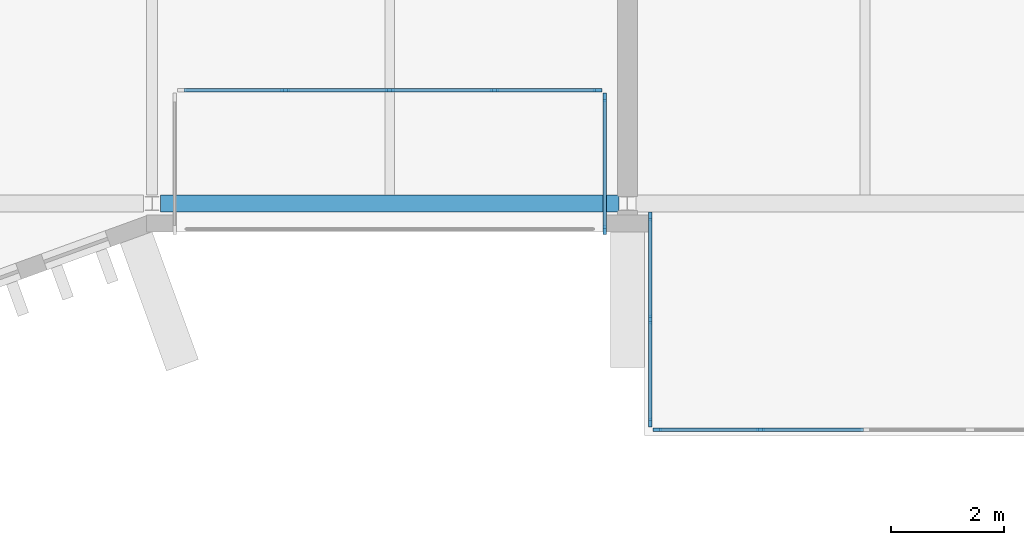
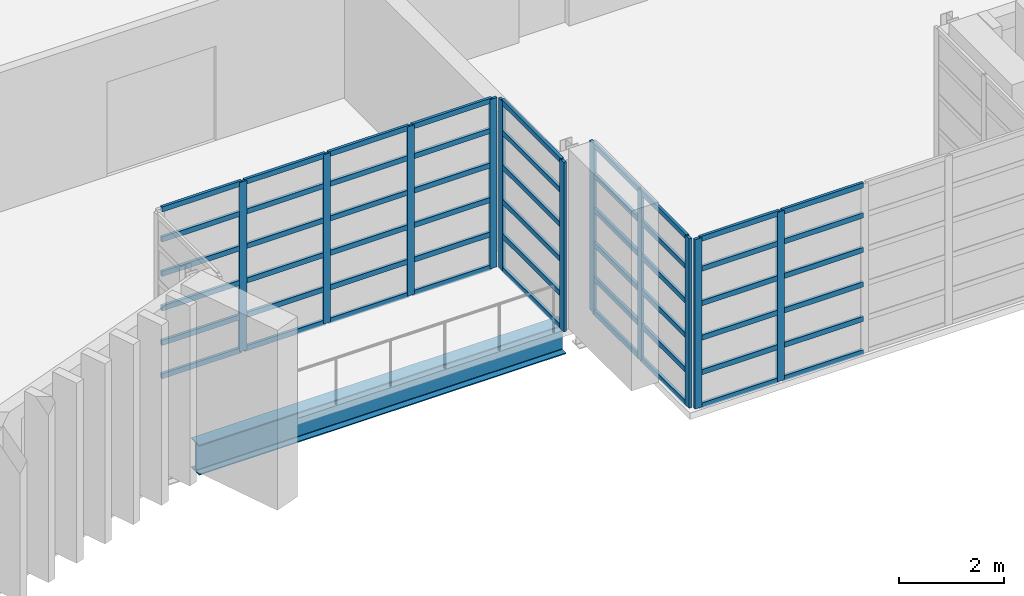
# One storey, part 37 of 88: 65 members, 1 beam, 4 elements without a shape of their own.
"""IFC4 building model written with IfcOpenShell, lengths in metres."""

from ifc_helpers import new_model, si_unit, direction, frame, origin, origin_2d, place, context, subcontext, project, spatial, rectangle, i_section, extrude, material, layer, layer_set, material_profile, profile_set, type_object, element, aggregate, save


model = new_model("IFC4")

# Units and contexts
model_context = context("Model", 3, precision=1e-05, world=origin(), true_north=direction((0.0, 1.0)))
body_context = subcontext(model_context, "Body", "Model", "MODEL_VIEW")
ifc_project = project(units=[si_unit("LENGTHUNIT", "METRE"), si_unit("AREAUNIT", "SQUARE_METRE"), si_unit("VOLUMEUNIT", "CUBIC_METRE"), si_unit("PLANEANGLEUNIT", "RADIAN"), si_unit("MASSUNIT", "GRAM", prefix="KILO")], contexts=[model_context])

# Site, building, storey
site_placement = place(None, origin())
site = spatial("IfcSite", under=ifc_project, at=site_placement, CompositionType="ELEMENT")
building_placement = place(site_placement, origin())
building = spatial("IfcBuilding", under=site, at=building_placement, Name="Cresset Court Congress Hotel", CompositionType="ELEMENT")
storey_placement = place(building_placement, frame((0.0, 0.0, 14.39990234375)))
storey = spatial("IfcBuildingStorey", under=building, at=storey_placement, Name="L03", CompositionType="ELEMENT", Elevation=14.39990234375)

# Curtain wall, members
ifc_material_1 = material(Name="Aluminium frame with double glazing", Category="aluminium")
ifc_layer = layer(ifc_material_1, 0.199951171875)
ifc_layer_set = layer_set([ifc_layer], Name="Glazed box curtain wall 1680 module")
curtain_wall_type = type_object("IfcCurtainWallType", Name="Glazed box curtain wall 1680 module", PredefinedType="NOTDEFINED", material=ifc_layer_set)
curtain_wall_1_placement = place(storey_placement, origin())
curtain_wall_1 = element("IfcCurtainWall", 1, at=curtain_wall_1_placement, inside=storey, type_object=curtain_wall_type, Name="Glazed box S0320 front", PredefinedType="NOTDEFINED")
ifc_material_2 = material(Name="Aluminium", Category="aluminium")
ifc_material_profile_1 = material_profile(ifc_material_2, rectangle(XDim=0.06005859375, YDim=0.159912109375, at=origin_2d()), Name="Box mullion 60x160")
ifc_profile_set_1 = profile_set([ifc_material_profile_1], Name="Aluminium")
member_type_1 = type_object("IfcMemberType", Name="Box mullion 60x160", PredefinedType="MULLION", material=ifc_profile_set_1)
member_1_placement = place(storey_placement, frame((136.75, 2.0, 0.0), z_axis=(0.0, 0.0, 1.0), x_axis=(0.0, 1.0, 0.0)))
member_1 = element("IfcMember", 2, at=member_1_placement, type_object=member_type_1, Name="B-X1 mullion 2", PredefinedType="MULLION", context=body_context, shape_type="SweptSolid", body=[
    extrude(rectangle(XDim=0.06005859375, YDim=0.159912109375, at=origin_2d()), origin(), (0.0, 0.0, 1.0), 3.9501953125),
])
member_2_placement = place(storey_placement, frame((138.60009765625, 2.0, 0.0), z_axis=(0.0, 0.0, 1.0), x_axis=(0.0, 1.0, 0.0)))
member_2 = element("IfcMember", 3, at=member_2_placement, type_object=member_type_1, Name="B-X1 mullion 3", PredefinedType="MULLION", context=body_context, shape_type="SweptSolid", body=[
    extrude(rectangle(XDim=0.06005859375, YDim=0.159912109375, at=origin_2d()), origin(), (0.0, 0.0, 1.0), 3.9501953125),
])
member_3_placement = place(storey_placement, frame((140.449951171875, 2.0, 0.0), z_axis=(0.0, 0.0, 1.0), x_axis=(0.0, 1.0, 0.0)))
member_3 = element("IfcMember", 4, at=member_3_placement, type_object=member_type_1, Name="B-X1 mullion 4", PredefinedType="MULLION", context=body_context, shape_type="SweptSolid", body=[
    extrude(rectangle(XDim=0.06005859375, YDim=0.159912109375, at=origin_2d()), origin(), (0.0, 0.0, 1.0), 3.9501953125),
])
member_4_placement = place(storey_placement, frame((142.27001953125, 2.0, 0.0), z_axis=(0.0, 0.0, 1.0), x_axis=(0.0, 1.0, 0.0)))
member_4 = element("IfcMember", 5, at=member_4_placement, type_object=member_type_1, Name="B-X1 mullion 5", PredefinedType="MULLION", context=body_context, shape_type="SweptSolid", body=[
    extrude(rectangle(XDim=0.06005859375, YDim=0.159912109375, at=origin_2d()), origin(), (0.0, 0.0, 1.0), 3.9501953125),
])

curtain_wall_2_placement = place(storey_placement, origin())
curtain_wall_2 = element("IfcCurtainWall", 6, at=curtain_wall_2_placement, inside=storey, type_object=curtain_wall_type, Name="Glazed box S0320 side", PredefinedType="NOTDEFINED")
member_5_placement = place(storey_placement, frame((142.39990234375, -0.469970703125, 0.0), z_axis=(0.0, 0.0, 1.0), x_axis=(-1.0, 0.0, 0.0)))
member_5 = element("IfcMember", 7, at=member_5_placement, type_object=member_type_1, Name="B-X1 mullion 1", PredefinedType="MULLION", context=body_context, shape_type="SweptSolid", body=[
    extrude(rectangle(XDim=0.06005859375, YDim=0.159912109375, at=origin_2d()), origin(), (0.0, 0.0, 1.0), 3.9501953125),
])
member_6_placement = place(storey_placement, frame((142.39990234375, 1.8701171875, 0.0), z_axis=(0.0, 0.0, 1.0), x_axis=(-1.0, 0.0, 0.0)))
member_6 = element("IfcMember", 8, at=member_6_placement, type_object=member_type_1, Name="B-X1 mullion 2", PredefinedType="MULLION", context=body_context, shape_type="SweptSolid", body=[
    extrude(rectangle(XDim=0.06005859375, YDim=0.159912109375, at=origin_2d()), origin(), (0.0, 0.0, 1.0), 3.9501953125),
])

curtain_wall_3_placement = place(storey_placement, origin())
curtain_wall_3 = element("IfcCurtainWall", 9, at=curtain_wall_3_placement, inside=storey, type_object=curtain_wall_type, Name="Glazed box S0323 front", PredefinedType="NOTDEFINED")
member_7_placement = place(storey_placement, frame((143.330078125, -4.0, 0.0), z_axis=(0.0, 0.0, 1.0), x_axis=(0.0, 1.0, 0.0)))
member_7 = element("IfcMember", 10, at=member_7_placement, type_object=member_type_1, Name="B-X1 mullion 1", PredefinedType="MULLION", context=body_context, shape_type="SweptSolid", body=[
    extrude(rectangle(XDim=0.06005859375, YDim=0.159912109375, at=origin_2d()), origin(), (0.0, 0.0, 1.0), 3.9501953125),
])
member_8_placement = place(storey_placement, frame((145.14990234375, -4.0, 0.0), z_axis=(0.0, 0.0, 1.0), x_axis=(0.0, 1.0, 0.0)))
member_8 = element("IfcMember", 11, at=member_8_placement, type_object=member_type_1, Name="B-X1 mullion 2", PredefinedType="MULLION", context=body_context, shape_type="SweptSolid", body=[
    extrude(rectangle(XDim=0.06005859375, YDim=0.159912109375, at=origin_2d()), origin(), (0.0, 0.0, 1.0), 3.9501953125),
])

curtain_wall_4_placement = place(storey_placement, origin())
curtain_wall_4 = element("IfcCurtainWall", 12, at=curtain_wall_4_placement, inside=storey, type_object=curtain_wall_type, Name="Glazed box S0323 side", PredefinedType="NOTDEFINED")
member_9_placement = place(storey_placement, frame((143.199951171875, -0.22998046875, 0.0), z_axis=(0.0, 0.0, 1.0), x_axis=(1.0, 0.0, 0.0)))
member_9 = element("IfcMember", 13, at=member_9_placement, type_object=member_type_1, Name="B-X1 mullion 1", PredefinedType="MULLION", context=body_context, shape_type="SweptSolid", body=[
    extrude(rectangle(XDim=0.06005859375, YDim=0.159912109375, at=origin_2d()), origin(), (0.0, 0.0, 1.0), 3.9501953125),
])
member_10_placement = place(storey_placement, frame((143.199951171875, -2.050048828125, 0.0), z_axis=(0.0, 0.0, 1.0), x_axis=(1.0, 0.0, 0.0)))
member_10 = element("IfcMember", 14, at=member_10_placement, type_object=member_type_1, Name="B-X1 mullion 2", PredefinedType="MULLION", context=body_context, shape_type="SweptSolid", body=[
    extrude(rectangle(XDim=0.06005859375, YDim=0.159912109375, at=origin_2d()), origin(), (0.0, 0.0, 1.0), 3.9501953125),
])
member_11_placement = place(storey_placement, frame((143.199951171875, -3.8701171875, 0.0), z_axis=(0.0, 0.0, 1.0), x_axis=(1.0, 0.0, 0.0)))
member_11 = element("IfcMember", 15, at=member_11_placement, type_object=member_type_1, Name="B-X1 mullion 3", PredefinedType="MULLION", context=body_context, shape_type="SweptSolid", body=[
    extrude(rectangle(XDim=0.06005859375, YDim=0.159912109375, at=origin_2d()), origin(), (0.0, 0.0, 1.0), 3.9501953125),
])

# Member
ifc_material_3 = material(Name="Aluminium", Category="aluminium")
ifc_material_profile_2 = material_profile(ifc_material_3, rectangle(XDim=0.06005859375, YDim=0.1201171875, at=origin_2d()), Name="Box transom 60x120")
ifc_profile_set_2 = profile_set([ifc_material_profile_2], Name="Aluminium")
member_type_2 = type_object("IfcMemberType", Name="Box transom 60x120", PredefinedType="USERDEFINED", material=ifc_profile_set_2)
member_12_placement = place(storey_placement, frame((134.9599609375, 2.0, 0.030029296875), z_axis=(1.0, 0.0, 0.0), x_axis=(0.0, 1.0, 0.0)))
member_12 = element("IfcMember", 16, at=member_12_placement, type_object=member_type_2, Name="B-X1 transom 1.1", ObjectType="TRANSOM", PredefinedType="USERDEFINED", context=body_context, shape_type="SweptSolid", body=[
    extrude(rectangle(XDim=0.06005859375, YDim=0.1201171875, at=origin_2d()), origin(), (0.0, 0.0, 1.0), 1.760009765625),
])

member_13_placement = place(storey_placement, frame((134.9599609375, 2.0, 0.80517578125), z_axis=(1.0, 0.0, 0.0), x_axis=(0.0, 1.0, 0.0)))
member_13 = element("IfcMember", 17, at=member_13_placement, type_object=member_type_2, Name="B-X1 transom 1.2", ObjectType="TRANSOM", PredefinedType="USERDEFINED", context=body_context, shape_type="SweptSolid", body=[
    extrude(rectangle(XDim=0.06005859375, YDim=0.1201171875, at=origin_2d()), origin(), (0.0, 0.0, 1.0), 1.760009765625),
])

member_14_placement = place(storey_placement, frame((134.9599609375, 2.0, 1.610107421875), z_axis=(1.0, 0.0, 0.0), x_axis=(0.0, 1.0, 0.0)))
member_14 = element("IfcMember", 18, at=member_14_placement, type_object=member_type_2, Name="B-X1 transom 1.3", ObjectType="TRANSOM", PredefinedType="USERDEFINED", context=body_context, shape_type="SweptSolid", body=[
    extrude(rectangle(XDim=0.06005859375, YDim=0.1201171875, at=origin_2d()), origin(), (0.0, 0.0, 1.0), 1.760009765625),
])

member_15_placement = place(storey_placement, frame((134.9599609375, 2.0, 2.4150390625), z_axis=(1.0, 0.0, 0.0), x_axis=(0.0, 1.0, 0.0)))
member_15 = element("IfcMember", 19, at=member_15_placement, type_object=member_type_2, Name="B-X1 transom 1.4", ObjectType="TRANSOM", PredefinedType="USERDEFINED", context=body_context, shape_type="SweptSolid", body=[
    extrude(rectangle(XDim=0.06005859375, YDim=0.1201171875, at=origin_2d()), origin(), (0.0, 0.0, 1.0), 1.760009765625),
])

member_16_placement = place(storey_placement, frame((134.9599609375, 2.0, 3.22021484375), z_axis=(1.0, 0.0, 0.0), x_axis=(0.0, 1.0, 0.0)))
member_16 = element("IfcMember", 20, at=member_16_placement, type_object=member_type_2, Name="B-X1 transom 1.5", ObjectType="TRANSOM", PredefinedType="USERDEFINED", context=body_context, shape_type="SweptSolid", body=[
    extrude(rectangle(XDim=0.06005859375, YDim=0.1201171875, at=origin_2d()), origin(), (0.0, 0.0, 1.0), 1.760009765625),
])

member_17_placement = place(storey_placement, frame((134.9599609375, 2.0, 3.920166015625), z_axis=(1.0, 0.0, 0.0), x_axis=(0.0, 1.0, 0.0)))
member_17 = element("IfcMember", 21, at=member_17_placement, type_object=member_type_2, Name="B-X1 transom 1.6", ObjectType="TRANSOM", PredefinedType="USERDEFINED", context=body_context, shape_type="SweptSolid", body=[
    extrude(rectangle(XDim=0.06005859375, YDim=0.1201171875, at=origin_2d()), origin(), (0.0, 0.0, 1.0), 1.760009765625),
])

member_18_placement = place(storey_placement, frame((136.780029296875, 2.0, 0.030029296875), z_axis=(1.0, 0.0, 0.0), x_axis=(0.0, 1.0, 0.0)))
member_18 = element("IfcMember", 22, at=member_18_placement, type_object=member_type_2, Name="B-X1 transom 2.1", ObjectType="TRANSOM", PredefinedType="USERDEFINED", context=body_context, shape_type="SweptSolid", body=[
    extrude(rectangle(XDim=0.06005859375, YDim=0.1201171875, at=origin_2d()), origin(), (0.0, 0.0, 1.0), 1.7900390625),
])

member_19_placement = place(storey_placement, frame((136.780029296875, 2.0, 0.80517578125), z_axis=(1.0, 0.0, 0.0), x_axis=(0.0, 1.0, 0.0)))
member_19 = element("IfcMember", 23, at=member_19_placement, type_object=member_type_2, Name="B-X1 transom 2.2", ObjectType="TRANSOM", PredefinedType="USERDEFINED", context=body_context, shape_type="SweptSolid", body=[
    extrude(rectangle(XDim=0.06005859375, YDim=0.1201171875, at=origin_2d()), origin(), (0.0, 0.0, 1.0), 1.7900390625),
])

member_20_placement = place(storey_placement, frame((136.780029296875, 2.0, 1.610107421875), z_axis=(1.0, 0.0, 0.0), x_axis=(0.0, 1.0, 0.0)))
member_20 = element("IfcMember", 24, at=member_20_placement, type_object=member_type_2, Name="B-X1 transom 2.3", ObjectType="TRANSOM", PredefinedType="USERDEFINED", context=body_context, shape_type="SweptSolid", body=[
    extrude(rectangle(XDim=0.06005859375, YDim=0.1201171875, at=origin_2d()), origin(), (0.0, 0.0, 1.0), 1.7900390625),
])

member_21_placement = place(storey_placement, frame((136.780029296875, 2.0, 2.4150390625), z_axis=(1.0, 0.0, 0.0), x_axis=(0.0, 1.0, 0.0)))
member_21 = element("IfcMember", 25, at=member_21_placement, type_object=member_type_2, Name="B-X1 transom 2.4", ObjectType="TRANSOM", PredefinedType="USERDEFINED", context=body_context, shape_type="SweptSolid", body=[
    extrude(rectangle(XDim=0.06005859375, YDim=0.1201171875, at=origin_2d()), origin(), (0.0, 0.0, 1.0), 1.7900390625),
])

member_22_placement = place(storey_placement, frame((136.780029296875, 2.0, 3.22021484375), z_axis=(1.0, 0.0, 0.0), x_axis=(0.0, 1.0, 0.0)))
member_22 = element("IfcMember", 26, at=member_22_placement, type_object=member_type_2, Name="B-X1 transom 2.5", ObjectType="TRANSOM", PredefinedType="USERDEFINED", context=body_context, shape_type="SweptSolid", body=[
    extrude(rectangle(XDim=0.06005859375, YDim=0.1201171875, at=origin_2d()), origin(), (0.0, 0.0, 1.0), 1.7900390625),
])

member_23_placement = place(storey_placement, frame((136.780029296875, 2.0, 3.920166015625), z_axis=(1.0, 0.0, 0.0), x_axis=(0.0, 1.0, 0.0)))
member_23 = element("IfcMember", 27, at=member_23_placement, type_object=member_type_2, Name="B-X1 transom 2.6", ObjectType="TRANSOM", PredefinedType="USERDEFINED", context=body_context, shape_type="SweptSolid", body=[
    extrude(rectangle(XDim=0.06005859375, YDim=0.1201171875, at=origin_2d()), origin(), (0.0, 0.0, 1.0), 1.7900390625),
])

member_24_placement = place(storey_placement, frame((138.6298828125, 2.0, 0.030029296875), z_axis=(1.0, 0.0, 0.0), x_axis=(0.0, 1.0, 0.0)))
member_24 = element("IfcMember", 28, at=member_24_placement, type_object=member_type_2, Name="B-X1 transom 3.1", ObjectType="TRANSOM", PredefinedType="USERDEFINED", context=body_context, shape_type="SweptSolid", body=[
    extrude(rectangle(XDim=0.06005859375, YDim=0.1201171875, at=origin_2d()), origin(), (0.0, 0.0, 1.0), 1.7900390625),
])

member_25_placement = place(storey_placement, frame((138.6298828125, 2.0, 0.80517578125), z_axis=(1.0, 0.0, 0.0), x_axis=(0.0, 1.0, 0.0)))
member_25 = element("IfcMember", 29, at=member_25_placement, type_object=member_type_2, Name="B-X1 transom 3.2", ObjectType="TRANSOM", PredefinedType="USERDEFINED", context=body_context, shape_type="SweptSolid", body=[
    extrude(rectangle(XDim=0.06005859375, YDim=0.1201171875, at=origin_2d()), origin(), (0.0, 0.0, 1.0), 1.7900390625),
])

member_26_placement = place(storey_placement, frame((138.6298828125, 2.0, 1.610107421875), z_axis=(1.0, 0.0, 0.0), x_axis=(0.0, 1.0, 0.0)))
member_26 = element("IfcMember", 30, at=member_26_placement, type_object=member_type_2, Name="B-X1 transom 3.3", ObjectType="TRANSOM", PredefinedType="USERDEFINED", context=body_context, shape_type="SweptSolid", body=[
    extrude(rectangle(XDim=0.06005859375, YDim=0.1201171875, at=origin_2d()), origin(), (0.0, 0.0, 1.0), 1.7900390625),
])

member_27_placement = place(storey_placement, frame((138.6298828125, 2.0, 2.4150390625), z_axis=(1.0, 0.0, 0.0), x_axis=(0.0, 1.0, 0.0)))
member_27 = element("IfcMember", 31, at=member_27_placement, type_object=member_type_2, Name="B-X1 transom 3.4", ObjectType="TRANSOM", PredefinedType="USERDEFINED", context=body_context, shape_type="SweptSolid", body=[
    extrude(rectangle(XDim=0.06005859375, YDim=0.1201171875, at=origin_2d()), origin(), (0.0, 0.0, 1.0), 1.7900390625),
])

member_28_placement = place(storey_placement, frame((138.6298828125, 2.0, 3.22021484375), z_axis=(1.0, 0.0, 0.0), x_axis=(0.0, 1.0, 0.0)))
member_28 = element("IfcMember", 32, at=member_28_placement, type_object=member_type_2, Name="B-X1 transom 3.5", ObjectType="TRANSOM", PredefinedType="USERDEFINED", context=body_context, shape_type="SweptSolid", body=[
    extrude(rectangle(XDim=0.06005859375, YDim=0.1201171875, at=origin_2d()), origin(), (0.0, 0.0, 1.0), 1.7900390625),
])

member_29_placement = place(storey_placement, frame((138.6298828125, 2.0, 3.920166015625), z_axis=(1.0, 0.0, 0.0), x_axis=(0.0, 1.0, 0.0)))
member_29 = element("IfcMember", 33, at=member_29_placement, type_object=member_type_2, Name="B-X1 transom 3.6", ObjectType="TRANSOM", PredefinedType="USERDEFINED", context=body_context, shape_type="SweptSolid", body=[
    extrude(rectangle(XDim=0.06005859375, YDim=0.1201171875, at=origin_2d()), origin(), (0.0, 0.0, 1.0), 1.7900390625),
])

member_30_placement = place(storey_placement, frame((140.47998046875, 2.0, 0.030029296875), z_axis=(1.0, 0.0, 0.0), x_axis=(0.0, 1.0, 0.0)))
member_30 = element("IfcMember", 34, at=member_30_placement, type_object=member_type_2, Name="B-X1 transom 4.1", ObjectType="TRANSOM", PredefinedType="USERDEFINED", context=body_context, shape_type="SweptSolid", body=[
    extrude(rectangle(XDim=0.06005859375, YDim=0.1201171875, at=origin_2d()), origin(), (0.0, 0.0, 1.0), 1.760009765625),
])

member_31_placement = place(storey_placement, frame((140.47998046875, 2.0, 0.80517578125), z_axis=(1.0, 0.0, 0.0), x_axis=(0.0, 1.0, 0.0)))
member_31 = element("IfcMember", 35, at=member_31_placement, type_object=member_type_2, Name="B-X1 transom 4.2", ObjectType="TRANSOM", PredefinedType="USERDEFINED", context=body_context, shape_type="SweptSolid", body=[
    extrude(rectangle(XDim=0.06005859375, YDim=0.1201171875, at=origin_2d()), origin(), (0.0, 0.0, 1.0), 1.760009765625),
])

member_32_placement = place(storey_placement, frame((140.47998046875, 2.0, 1.610107421875), z_axis=(1.0, 0.0, 0.0), x_axis=(0.0, 1.0, 0.0)))
member_32 = element("IfcMember", 36, at=member_32_placement, type_object=member_type_2, Name="B-X1 transom 4.3", ObjectType="TRANSOM", PredefinedType="USERDEFINED", context=body_context, shape_type="SweptSolid", body=[
    extrude(rectangle(XDim=0.06005859375, YDim=0.1201171875, at=origin_2d()), origin(), (0.0, 0.0, 1.0), 1.760009765625),
])

member_33_placement = place(storey_placement, frame((140.47998046875, 2.0, 2.4150390625), z_axis=(1.0, 0.0, 0.0), x_axis=(0.0, 1.0, 0.0)))
member_33 = element("IfcMember", 37, at=member_33_placement, type_object=member_type_2, Name="B-X1 transom 4.4", ObjectType="TRANSOM", PredefinedType="USERDEFINED", context=body_context, shape_type="SweptSolid", body=[
    extrude(rectangle(XDim=0.06005859375, YDim=0.1201171875, at=origin_2d()), origin(), (0.0, 0.0, 1.0), 1.760009765625),
])

member_34_placement = place(storey_placement, frame((140.47998046875, 2.0, 3.22021484375), z_axis=(1.0, 0.0, 0.0), x_axis=(0.0, 1.0, 0.0)))
member_34 = element("IfcMember", 38, at=member_34_placement, type_object=member_type_2, Name="B-X1 transom 4.5", ObjectType="TRANSOM", PredefinedType="USERDEFINED", context=body_context, shape_type="SweptSolid", body=[
    extrude(rectangle(XDim=0.06005859375, YDim=0.1201171875, at=origin_2d()), origin(), (0.0, 0.0, 1.0), 1.760009765625),
])

member_35_placement = place(storey_placement, frame((140.47998046875, 2.0, 3.920166015625), z_axis=(1.0, 0.0, 0.0), x_axis=(0.0, 1.0, 0.0)))
member_35 = element("IfcMember", 39, at=member_35_placement, type_object=member_type_2, Name="B-X1 transom 4.6", ObjectType="TRANSOM", PredefinedType="USERDEFINED", context=body_context, shape_type="SweptSolid", body=[
    extrude(rectangle(XDim=0.06005859375, YDim=0.1201171875, at=origin_2d()), origin(), (0.0, 0.0, 1.0), 1.760009765625),
])

aggregate(curtain_wall_1, [member_1, member_2, member_3, member_4, member_12, member_13, member_14, member_15, member_16, member_17, member_18, member_19, member_20, member_21, member_22, member_23, member_24, member_25, member_26, member_27, member_28, member_29, member_30, member_31, member_32, member_33, member_34, member_35])

member_36_placement = place(storey_placement, frame((142.39990234375, -0.43994140625, 0.030029296875), z_axis=(0.0, 1.0, 0.0), x_axis=(-1.0, 0.0, 0.0)))
member_36 = element("IfcMember", 40, at=member_36_placement, type_object=member_type_2, Name="B-X1 transom 1.1", ObjectType="TRANSOM", PredefinedType="USERDEFINED", context=body_context, shape_type="SweptSolid", body=[
    extrude(rectangle(XDim=0.06005859375, YDim=0.1201171875, at=origin_2d()), origin(), (0.0, 0.0, 1.0), 2.280029296875),
])

member_37_placement = place(storey_placement, frame((142.39990234375, -0.43994140625, 0.80517578125), z_axis=(0.0, 1.0, 0.0), x_axis=(-1.0, 0.0, 0.0)))
member_37 = element("IfcMember", 41, at=member_37_placement, type_object=member_type_2, Name="B-X1 transom 1.2", ObjectType="TRANSOM", PredefinedType="USERDEFINED", context=body_context, shape_type="SweptSolid", body=[
    extrude(rectangle(XDim=0.06005859375, YDim=0.1201171875, at=origin_2d()), origin(), (0.0, 0.0, 1.0), 2.280029296875),
])

member_38_placement = place(storey_placement, frame((142.39990234375, -0.43994140625, 1.610107421875), z_axis=(0.0, 1.0, 0.0), x_axis=(-1.0, 0.0, 0.0)))
member_38 = element("IfcMember", 42, at=member_38_placement, type_object=member_type_2, Name="B-X1 transom 1.3", ObjectType="TRANSOM", PredefinedType="USERDEFINED", context=body_context, shape_type="SweptSolid", body=[
    extrude(rectangle(XDim=0.06005859375, YDim=0.1201171875, at=origin_2d()), origin(), (0.0, 0.0, 1.0), 2.280029296875),
])

member_39_placement = place(storey_placement, frame((142.39990234375, -0.43994140625, 2.4150390625), z_axis=(0.0, 1.0, 0.0), x_axis=(-1.0, 0.0, 0.0)))
member_39 = element("IfcMember", 43, at=member_39_placement, type_object=member_type_2, Name="B-X1 transom 1.4", ObjectType="TRANSOM", PredefinedType="USERDEFINED", context=body_context, shape_type="SweptSolid", body=[
    extrude(rectangle(XDim=0.06005859375, YDim=0.1201171875, at=origin_2d()), origin(), (0.0, 0.0, 1.0), 2.280029296875),
])

member_40_placement = place(storey_placement, frame((142.39990234375, -0.43994140625, 3.22021484375), z_axis=(0.0, 1.0, 0.0), x_axis=(-1.0, 0.0, 0.0)))
member_40 = element("IfcMember", 44, at=member_40_placement, type_object=member_type_2, Name="B-X1 transom 1.5", ObjectType="TRANSOM", PredefinedType="USERDEFINED", context=body_context, shape_type="SweptSolid", body=[
    extrude(rectangle(XDim=0.06005859375, YDim=0.1201171875, at=origin_2d()), origin(), (0.0, 0.0, 1.0), 2.280029296875),
])

member_41_placement = place(storey_placement, frame((142.39990234375, -0.43994140625, 3.920166015625), z_axis=(0.0, 1.0, 0.0), x_axis=(-1.0, 0.0, 0.0)))
member_41 = element("IfcMember", 45, at=member_41_placement, type_object=member_type_2, Name="B-X1 transom 1.6", ObjectType="TRANSOM", PredefinedType="USERDEFINED", context=body_context, shape_type="SweptSolid", body=[
    extrude(rectangle(XDim=0.06005859375, YDim=0.1201171875, at=origin_2d()), origin(), (0.0, 0.0, 1.0), 2.280029296875),
])

aggregate(curtain_wall_2, [member_5, member_6, member_36, member_37, member_38, member_39, member_40, member_41])

member_42_placement = place(storey_placement, frame((143.360107421875, -4.0, 0.030029296875), z_axis=(1.0, 0.0, 0.0), x_axis=(0.0, 1.0, 0.0)))
member_42 = element("IfcMember", 46, at=member_42_placement, type_object=member_type_2, Name="B-X1 transom 1.1", ObjectType="TRANSOM", PredefinedType="USERDEFINED", context=body_context, shape_type="SweptSolid", body=[
    extrude(rectangle(XDim=0.06005859375, YDim=0.1201171875, at=origin_2d()), origin(), (0.0, 0.0, 1.0), 1.760009765625),
])

member_43_placement = place(storey_placement, frame((143.360107421875, -4.0, 0.80517578125), z_axis=(1.0, 0.0, 0.0), x_axis=(0.0, 1.0, 0.0)))
member_43 = element("IfcMember", 47, at=member_43_placement, type_object=member_type_2, Name="B-X1 transom 1.2", ObjectType="TRANSOM", PredefinedType="USERDEFINED", context=body_context, shape_type="SweptSolid", body=[
    extrude(rectangle(XDim=0.06005859375, YDim=0.1201171875, at=origin_2d()), origin(), (0.0, 0.0, 1.0), 1.760009765625),
])

member_44_placement = place(storey_placement, frame((143.360107421875, -4.0, 1.610107421875), z_axis=(1.0, 0.0, 0.0), x_axis=(0.0, 1.0, 0.0)))
member_44 = element("IfcMember", 48, at=member_44_placement, type_object=member_type_2, Name="B-X1 transom 1.3", ObjectType="TRANSOM", PredefinedType="USERDEFINED", context=body_context, shape_type="SweptSolid", body=[
    extrude(rectangle(XDim=0.06005859375, YDim=0.1201171875, at=origin_2d()), origin(), (0.0, 0.0, 1.0), 1.760009765625),
])

member_45_placement = place(storey_placement, frame((143.360107421875, -4.0, 2.4150390625), z_axis=(1.0, 0.0, 0.0), x_axis=(0.0, 1.0, 0.0)))
member_45 = element("IfcMember", 49, at=member_45_placement, type_object=member_type_2, Name="B-X1 transom 1.4", ObjectType="TRANSOM", PredefinedType="USERDEFINED", context=body_context, shape_type="SweptSolid", body=[
    extrude(rectangle(XDim=0.06005859375, YDim=0.1201171875, at=origin_2d()), origin(), (0.0, 0.0, 1.0), 1.760009765625),
])

member_46_placement = place(storey_placement, frame((143.360107421875, -4.0, 3.22021484375), z_axis=(1.0, 0.0, 0.0), x_axis=(0.0, 1.0, 0.0)))
member_46 = element("IfcMember", 50, at=member_46_placement, type_object=member_type_2, Name="B-X1 transom 1.5", ObjectType="TRANSOM", PredefinedType="USERDEFINED", context=body_context, shape_type="SweptSolid", body=[
    extrude(rectangle(XDim=0.06005859375, YDim=0.1201171875, at=origin_2d()), origin(), (0.0, 0.0, 1.0), 1.760009765625),
])

member_47_placement = place(storey_placement, frame((143.360107421875, -4.0, 3.920166015625), z_axis=(1.0, 0.0, 0.0), x_axis=(0.0, 1.0, 0.0)))
member_47 = element("IfcMember", 51, at=member_47_placement, type_object=member_type_2, Name="B-X1 transom 1.6", ObjectType="TRANSOM", PredefinedType="USERDEFINED", context=body_context, shape_type="SweptSolid", body=[
    extrude(rectangle(XDim=0.06005859375, YDim=0.1201171875, at=origin_2d()), origin(), (0.0, 0.0, 1.0), 1.760009765625),
])

member_48_placement = place(storey_placement, frame((145.179931640625, -4.0, 0.030029296875), z_axis=(1.0, 0.0, 0.0), x_axis=(0.0, 1.0, 0.0)))
member_48 = element("IfcMember", 52, at=member_48_placement, type_object=member_type_2, Name="B-X1 transom 2.1", ObjectType="TRANSOM", PredefinedType="USERDEFINED", context=body_context, shape_type="SweptSolid", body=[
    extrude(rectangle(XDim=0.06005859375, YDim=0.1201171875, at=origin_2d()), origin(), (0.0, 0.0, 1.0), 1.7900390625),
])

member_49_placement = place(storey_placement, frame((145.179931640625, -4.0, 0.80517578125), z_axis=(1.0, 0.0, 0.0), x_axis=(0.0, 1.0, 0.0)))
member_49 = element("IfcMember", 53, at=member_49_placement, type_object=member_type_2, Name="B-X1 transom 2.2", ObjectType="TRANSOM", PredefinedType="USERDEFINED", context=body_context, shape_type="SweptSolid", body=[
    extrude(rectangle(XDim=0.06005859375, YDim=0.1201171875, at=origin_2d()), origin(), (0.0, 0.0, 1.0), 1.7900390625),
])

member_50_placement = place(storey_placement, frame((145.179931640625, -4.0, 1.610107421875), z_axis=(1.0, 0.0, 0.0), x_axis=(0.0, 1.0, 0.0)))
member_50 = element("IfcMember", 54, at=member_50_placement, type_object=member_type_2, Name="B-X1 transom 2.3", ObjectType="TRANSOM", PredefinedType="USERDEFINED", context=body_context, shape_type="SweptSolid", body=[
    extrude(rectangle(XDim=0.06005859375, YDim=0.1201171875, at=origin_2d()), origin(), (0.0, 0.0, 1.0), 1.7900390625),
])

member_51_placement = place(storey_placement, frame((145.179931640625, -4.0, 2.4150390625), z_axis=(1.0, 0.0, 0.0), x_axis=(0.0, 1.0, 0.0)))
member_51 = element("IfcMember", 55, at=member_51_placement, type_object=member_type_2, Name="B-X1 transom 2.4", ObjectType="TRANSOM", PredefinedType="USERDEFINED", context=body_context, shape_type="SweptSolid", body=[
    extrude(rectangle(XDim=0.06005859375, YDim=0.1201171875, at=origin_2d()), origin(), (0.0, 0.0, 1.0), 1.7900390625),
])

member_52_placement = place(storey_placement, frame((145.179931640625, -4.0, 3.22021484375), z_axis=(1.0, 0.0, 0.0), x_axis=(0.0, 1.0, 0.0)))
member_52 = element("IfcMember", 56, at=member_52_placement, type_object=member_type_2, Name="B-X1 transom 2.5", ObjectType="TRANSOM", PredefinedType="USERDEFINED", context=body_context, shape_type="SweptSolid", body=[
    extrude(rectangle(XDim=0.06005859375, YDim=0.1201171875, at=origin_2d()), origin(), (0.0, 0.0, 1.0), 1.7900390625),
])

member_53_placement = place(storey_placement, frame((145.179931640625, -4.0, 3.920166015625), z_axis=(1.0, 0.0, 0.0), x_axis=(0.0, 1.0, 0.0)))
member_53 = element("IfcMember", 57, at=member_53_placement, type_object=member_type_2, Name="B-X1 transom 2.6", ObjectType="TRANSOM", PredefinedType="USERDEFINED", context=body_context, shape_type="SweptSolid", body=[
    extrude(rectangle(XDim=0.06005859375, YDim=0.1201171875, at=origin_2d()), origin(), (0.0, 0.0, 1.0), 1.7900390625),
])

aggregate(curtain_wall_3, [member_7, member_8, member_42, member_43, member_44, member_45, member_46, member_47, member_48, member_49, member_50, member_51, member_52, member_53])

member_54_placement = place(storey_placement, frame((143.199951171875, -0.260009765625, 0.030029296875), z_axis=(0.0, -1.0, 0.0), x_axis=(1.0, 0.0, 0.0)))
member_54 = element("IfcMember", 58, at=member_54_placement, type_object=member_type_2, Name="B-X1 transom 1.1", ObjectType="TRANSOM", PredefinedType="USERDEFINED", context=body_context, shape_type="SweptSolid", body=[
    extrude(rectangle(XDim=0.06005859375, YDim=0.1201171875, at=origin_2d()), origin(), (0.0, 0.0, 1.0), 1.760009765625),
])

member_55_placement = place(storey_placement, frame((143.199951171875, -0.260009765625, 0.80517578125), z_axis=(0.0, -1.0, 0.0), x_axis=(1.0, 0.0, 0.0)))
member_55 = element("IfcMember", 59, at=member_55_placement, type_object=member_type_2, Name="B-X1 transom 1.2", ObjectType="TRANSOM", PredefinedType="USERDEFINED", context=body_context, shape_type="SweptSolid", body=[
    extrude(rectangle(XDim=0.06005859375, YDim=0.1201171875, at=origin_2d()), origin(), (0.0, 0.0, 1.0), 1.760009765625),
])

member_56_placement = place(storey_placement, frame((143.199951171875, -0.260009765625, 1.610107421875), z_axis=(0.0, -1.0, 0.0), x_axis=(1.0, 0.0, 0.0)))
member_56 = element("IfcMember", 60, at=member_56_placement, type_object=member_type_2, Name="B-X1 transom 1.3", ObjectType="TRANSOM", PredefinedType="USERDEFINED", context=body_context, shape_type="SweptSolid", body=[
    extrude(rectangle(XDim=0.06005859375, YDim=0.1201171875, at=origin_2d()), origin(), (0.0, 0.0, 1.0), 1.760009765625),
])

member_57_placement = place(storey_placement, frame((143.199951171875, -0.260009765625, 2.4150390625), z_axis=(0.0, -1.0, 0.0), x_axis=(1.0, 0.0, 0.0)))
member_57 = element("IfcMember", 61, at=member_57_placement, type_object=member_type_2, Name="B-X1 transom 1.4", ObjectType="TRANSOM", PredefinedType="USERDEFINED", context=body_context, shape_type="SweptSolid", body=[
    extrude(rectangle(XDim=0.06005859375, YDim=0.1201171875, at=origin_2d()), origin(), (0.0, 0.0, 1.0), 1.760009765625),
])

member_58_placement = place(storey_placement, frame((143.199951171875, -0.260009765625, 3.22021484375), z_axis=(0.0, -1.0, 0.0), x_axis=(1.0, 0.0, 0.0)))
member_58 = element("IfcMember", 62, at=member_58_placement, type_object=member_type_2, Name="B-X1 transom 1.5", ObjectType="TRANSOM", PredefinedType="USERDEFINED", context=body_context, shape_type="SweptSolid", body=[
    extrude(rectangle(XDim=0.06005859375, YDim=0.1201171875, at=origin_2d()), origin(), (0.0, 0.0, 1.0), 1.760009765625),
])

member_59_placement = place(storey_placement, frame((143.199951171875, -0.260009765625, 3.920166015625), z_axis=(0.0, -1.0, 0.0), x_axis=(1.0, 0.0, 0.0)))
member_59 = element("IfcMember", 63, at=member_59_placement, type_object=member_type_2, Name="B-X1 transom 1.6", ObjectType="TRANSOM", PredefinedType="USERDEFINED", context=body_context, shape_type="SweptSolid", body=[
    extrude(rectangle(XDim=0.06005859375, YDim=0.1201171875, at=origin_2d()), origin(), (0.0, 0.0, 1.0), 1.760009765625),
])

member_60_placement = place(storey_placement, frame((143.199951171875, -2.080078125, 0.030029296875), z_axis=(0.0, -1.0, 0.0), x_axis=(1.0, 0.0, 0.0)))
member_60 = element("IfcMember", 64, at=member_60_placement, type_object=member_type_2, Name="B-X1 transom 2.1", ObjectType="TRANSOM", PredefinedType="USERDEFINED", context=body_context, shape_type="SweptSolid", body=[
    extrude(rectangle(XDim=0.06005859375, YDim=0.1201171875, at=origin_2d()), origin(), (0.0, 0.0, 1.0), 1.760009765625),
])

member_61_placement = place(storey_placement, frame((143.199951171875, -2.080078125, 0.80517578125), z_axis=(0.0, -1.0, 0.0), x_axis=(1.0, 0.0, 0.0)))
member_61 = element("IfcMember", 65, at=member_61_placement, type_object=member_type_2, Name="B-X1 transom 2.2", ObjectType="TRANSOM", PredefinedType="USERDEFINED", context=body_context, shape_type="SweptSolid", body=[
    extrude(rectangle(XDim=0.06005859375, YDim=0.1201171875, at=origin_2d()), origin(), (0.0, 0.0, 1.0), 1.760009765625),
])

member_62_placement = place(storey_placement, frame((143.199951171875, -2.080078125, 1.610107421875), z_axis=(0.0, -1.0, 0.0), x_axis=(1.0, 0.0, 0.0)))
member_62 = element("IfcMember", 66, at=member_62_placement, type_object=member_type_2, Name="B-X1 transom 2.3", ObjectType="TRANSOM", PredefinedType="USERDEFINED", context=body_context, shape_type="SweptSolid", body=[
    extrude(rectangle(XDim=0.06005859375, YDim=0.1201171875, at=origin_2d()), origin(), (0.0, 0.0, 1.0), 1.760009765625),
])

member_63_placement = place(storey_placement, frame((143.199951171875, -2.080078125, 2.4150390625), z_axis=(0.0, -1.0, 0.0), x_axis=(1.0, 0.0, 0.0)))
member_63 = element("IfcMember", 67, at=member_63_placement, type_object=member_type_2, Name="B-X1 transom 2.4", ObjectType="TRANSOM", PredefinedType="USERDEFINED", context=body_context, shape_type="SweptSolid", body=[
    extrude(rectangle(XDim=0.06005859375, YDim=0.1201171875, at=origin_2d()), origin(), (0.0, 0.0, 1.0), 1.760009765625),
])

member_64_placement = place(storey_placement, frame((143.199951171875, -2.080078125, 3.22021484375), z_axis=(0.0, -1.0, 0.0), x_axis=(1.0, 0.0, 0.0)))
member_64 = element("IfcMember", 68, at=member_64_placement, type_object=member_type_2, Name="B-X1 transom 2.5", ObjectType="TRANSOM", PredefinedType="USERDEFINED", context=body_context, shape_type="SweptSolid", body=[
    extrude(rectangle(XDim=0.06005859375, YDim=0.1201171875, at=origin_2d()), origin(), (0.0, 0.0, 1.0), 1.760009765625),
])

member_65_placement = place(storey_placement, frame((143.199951171875, -2.080078125, 3.920166015625), z_axis=(0.0, -1.0, 0.0), x_axis=(1.0, 0.0, 0.0)))
member_65 = element("IfcMember", 69, at=member_65_placement, type_object=member_type_2, Name="B-X1 transom 2.6", ObjectType="TRANSOM", PredefinedType="USERDEFINED", context=body_context, shape_type="SweptSolid", body=[
    extrude(rectangle(XDim=0.06005859375, YDim=0.1201171875, at=origin_2d()), origin(), (0.0, 0.0, 1.0), 1.760009765625),
])

aggregate(curtain_wall_4, [member_9, member_10, member_11, member_54, member_55, member_56, member_57, member_58, member_59, member_60, member_61, member_62, member_63, member_64, member_65])

# Beam
ifc_material_4 = material(Name="Structural steel Q355B", Category="steel")
ifc_material_profile_3 = material_profile(ifc_material_4, i_section(OverallWidth=0.300048828125, OverallDepth=0.699951171875, WebThickness=0.012939453125, FlangeThickness=0.02392578125, FilletRadius=0.01806640625, at=origin_2d()), Name="HN700x300x13x24")
ifc_profile_set_3 = profile_set([ifc_material_profile_3], Name="Structural steel Q355B")
beam_type = type_object("IfcBeamType", Name="Steel beam HN700x300x13x24", PredefinedType="BEAM", material=ifc_profile_set_3)
beam_placement = place(storey_placement, frame((134.550048828125, 0.0, -0.5), z_axis=(1.0, 0.0, 0.0), x_axis=(0.0, 1.0, 0.0)))
element("IfcBeam", 70, at=beam_placement, inside=storey, type_object=beam_type, Name="B.bx.L03.A17", PredefinedType="BEAM", context=body_context, shape_type="SweptSolid", body=[
    extrude(i_section(OverallWidth=0.300048828125, OverallDepth=0.699951171875, WebThickness=0.012939453125, FlangeThickness=0.02392578125, FilletRadius=0.01806640625, at=origin_2d()), origin(), (0.0, 0.0, 1.0), 8.099853515625),
])

save(model, "model.ifc")
